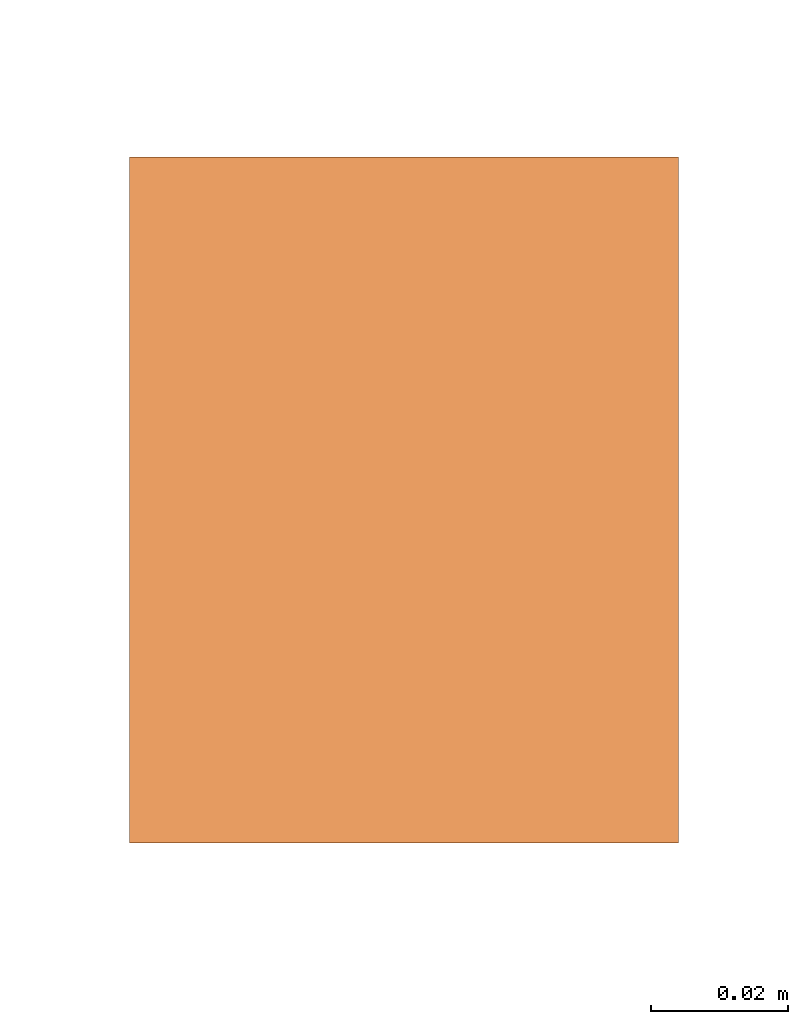
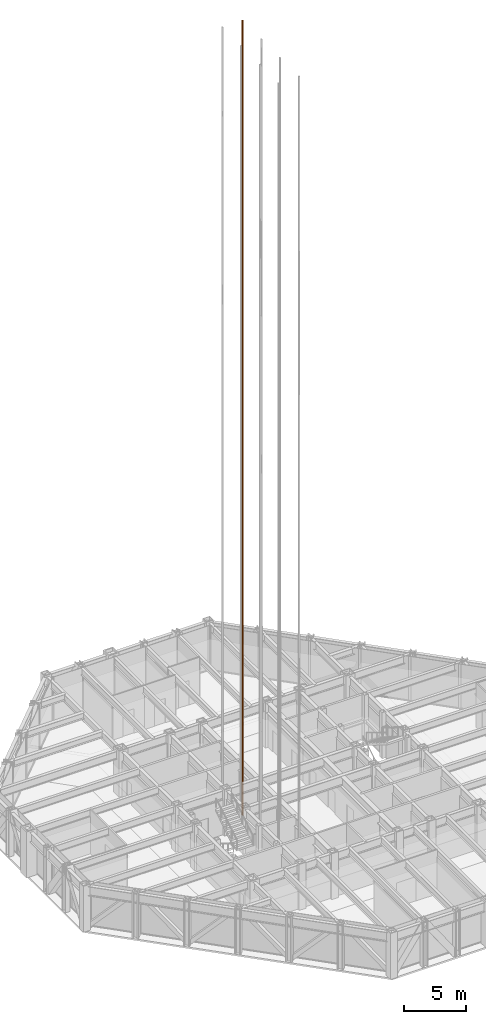
# One storey, part 24 of 24: 1 proxy.
"""IFC4 building model written with IfcOpenShell, lengths in metres."""

from ifc_helpers import new_model, si_unit, direction, frame, origin, origin_2d, place, context, subcontext, project, spatial, rectangle, extrude, material, type_object, element, save


model = new_model("IFC4")

# Units and contexts
model_context = context("Model", 3, precision=1e-05, world=origin(), true_north=direction((0.0, 1.0)))
body_context = subcontext(model_context, "Body", "Model", "MODEL_VIEW")
ifc_project = project(units=[si_unit("LENGTHUNIT", "METRE"), si_unit("AREAUNIT", "SQUARE_METRE"), si_unit("VOLUMEUNIT", "CUBIC_METRE"), si_unit("PLANEANGLEUNIT", "RADIAN"), si_unit("MASSUNIT", "GRAM", prefix="KILO")], contexts=[model_context])

# Site, building, storey
site_placement = place(None, origin())
site = spatial("IfcSite", under=ifc_project, at=site_placement, CompositionType="ELEMENT")
building_placement = place(site_placement, origin())
building = spatial("IfcBuilding", under=site, at=building_placement, Name="Chuquiago Exchange Tower", CompositionType="ELEMENT")
storey_placement = place(building_placement, frame((0.0, 0.0, 180.0)))
storey = spatial("IfcBuildingStorey", under=building, at=storey_placement, Name="L39", CompositionType="ELEMENT", Elevation=180.0)

# Proxy
ifc_material = material(Name="Galvanised steel guide rail", Category="steel")
building_element_proxy_type = type_object("IfcBuildingElementProxyType", Name="LR lift guide rail", PredefinedType="NOTDEFINED", material=ifc_material)
proxy_placement = place(storey_placement, frame((18.93505859375, 25.5, 0.0), z_axis=(0.0, 0.0, 1.0), x_axis=(1.0, 0.0, 0.0)))
element("IfcBuildingElementProxy", 1, at=proxy_placement, inside=storey, type_object=building_element_proxy_type, Name="Lift LC4 guide rail E", PredefinedType="NOTDEFINED", context=body_context, shape_type="SweptSolid", body=[
    extrude(rectangle(XDim=0.080078125, YDim=0.10009765625, at=origin_2d()), origin(), (0.0, 0.0, 1.0), 77.699951171875),
])

save(model, "model.ifc")
